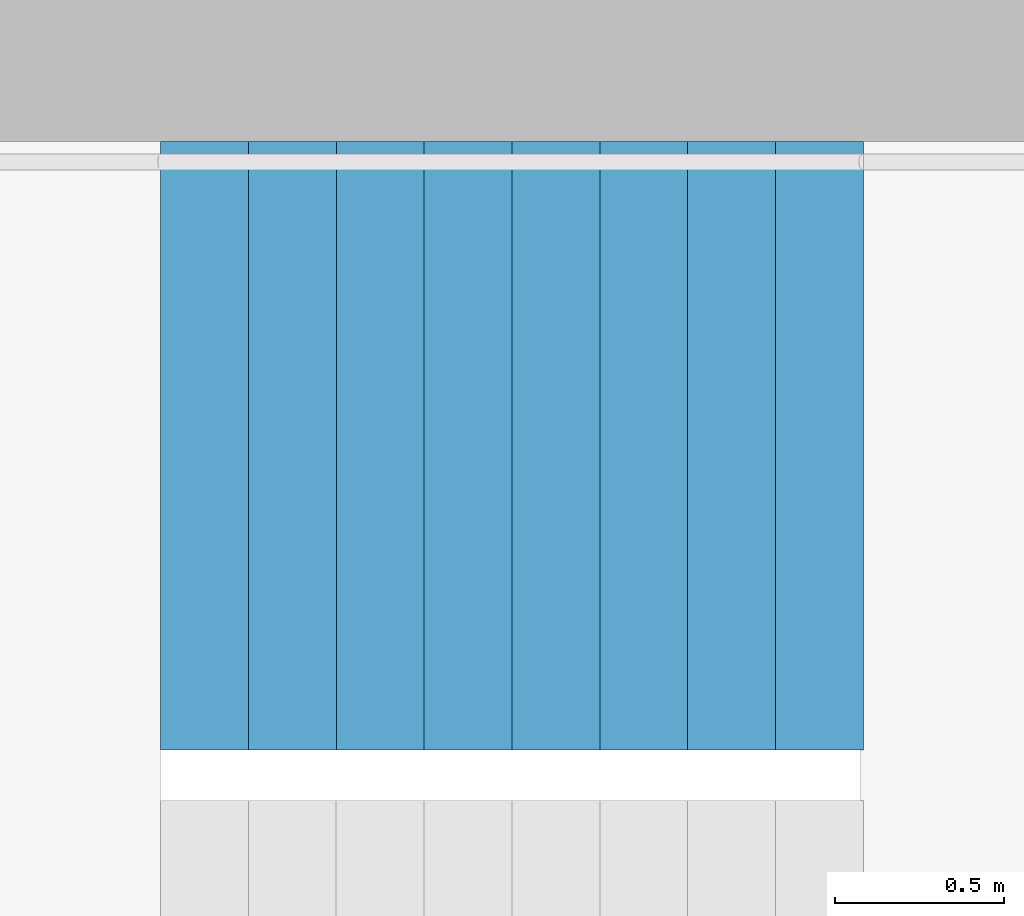
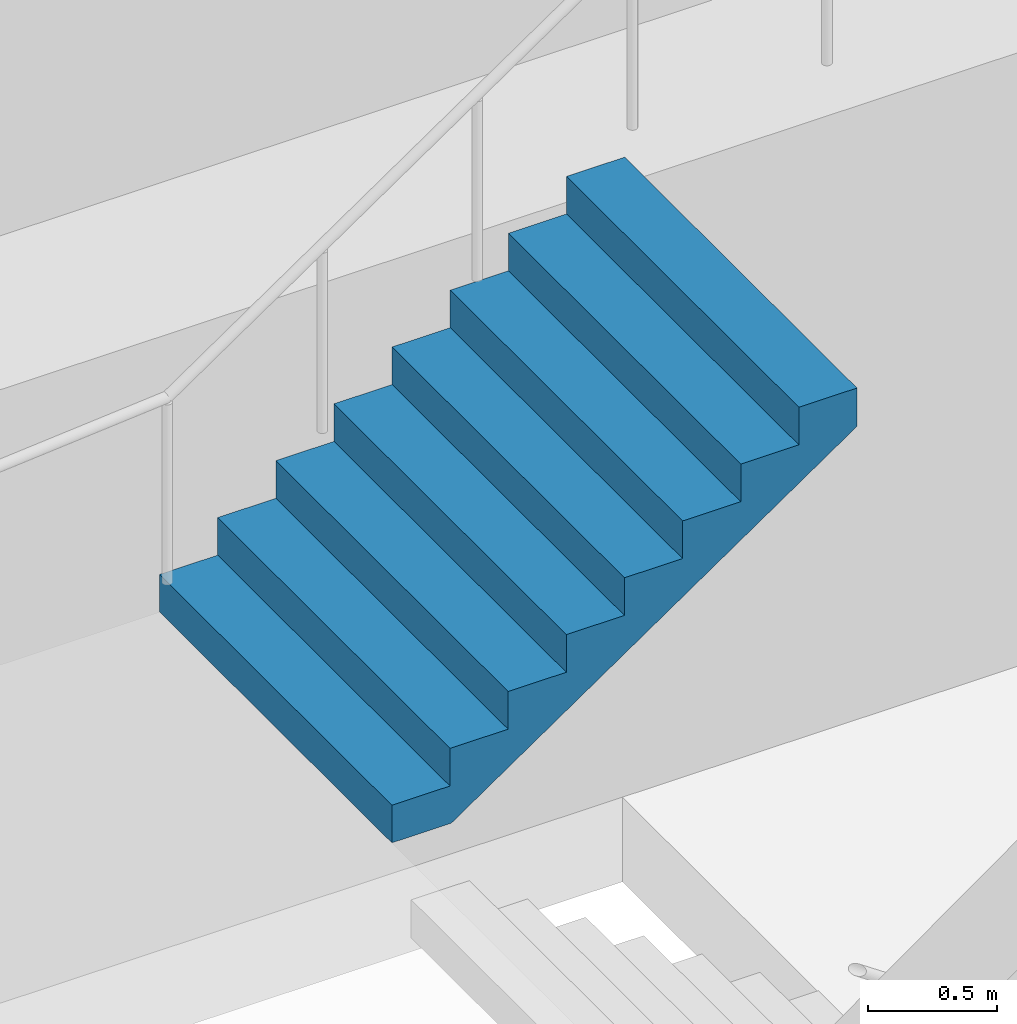
# One storey, part 28 of 29: 1 stair flight, 1 element without a shape of its own.
"""IFC4 building model written with IfcOpenShell, lengths in metres."""

from ifc_helpers import new_model, si_unit, direction, frame, origin, place, context, subcontext, project, spatial, triangles, material, type_object, element, aggregate, save


model = new_model("IFC4")

# Units and contexts
model_context = context("Model", 3, precision=1e-05, world=origin(), true_north=direction((0.0, 1.0)))
body_context = subcontext(model_context, "Body", "Model", "MODEL_VIEW")
ifc_project = project(units=[si_unit("LENGTHUNIT", "METRE"), si_unit("AREAUNIT", "SQUARE_METRE"), si_unit("VOLUMEUNIT", "CUBIC_METRE"), si_unit("PLANEANGLEUNIT", "RADIAN"), si_unit("MASSUNIT", "GRAM", prefix="KILO")], contexts=[model_context])

# Site, building, storey
site_placement = place(None, origin())
site = spatial("IfcSite", under=ifc_project, at=site_placement, CompositionType="ELEMENT")
building_placement = place(site_placement, origin())
building = spatial("IfcBuilding", under=site, at=building_placement, Name="Hakoniwa Tower and Hamabe Station Hall", CompositionType="ELEMENT")
storey_placement = place(building_placement, frame((0.0, 0.0, 61.39990234375)))
storey = spatial("IfcBuildingStorey", under=building, at=storey_placement, Name="L17", CompositionType="ELEMENT", Elevation=61.39990234375)

# Stair, stair flight
ifc_material_1 = material(Name="Concrete C40", Category="concrete")
stair_type = type_object("IfcStairType", Name="ESCAPE STAIR 1800", PredefinedType="HALF_TURN_STAIR", material=ifc_material_1)
stair_placement = place(storey_placement, origin())
stair = element("IfcStair", 1, at=stair_placement, inside=storey, type_object=stair_type, Name="Escape stair ST-3 L17", PredefinedType="HALF_TURN_STAIR")
ifc_material_2 = material(Name="Concrete C40", Category="concrete")
stair_flight_type = type_object("IfcStairFlightType", Name="STAIR FLIGHT 1800", PredefinedType="STRAIGHT", material=ifc_material_2)
stair_flight_placement = place(storey_placement, frame((22.320068359375, 6.60009765625, 1.60009765625), z_axis=(0.0, 0.0, 1.0), x_axis=(1.0, 0.0, 0.0)))
stair_flight = element("IfcStairFlight", 2, at=stair_flight_placement, type_object=stair_flight_type, Name="ST-3 flight 2", NumberOfRisers=9, NumberOfTreads=8, PredefinedType="STRAIGHT", RiserHeight=0.177777778, TreadLength=0.26, context=body_context, shape_type="Tessellation", body=[
    triangles([(0.0, 0.89990234375, 0.0), (0.260009765625, 0.89990234375, 0.0), (0.265625, 0.89990234375, 0.0), (0.52001953125, 0.89990234375, 0.174072265625), (0.780029296875, 0.89990234375, 0.351806640625), (1.0400390625, 0.89990234375, 0.529541015625), (1.300048828125, 0.89990234375, 0.707275390625), (1.56005859375, 0.89990234375, 0.885009765625), (1.820068359375, 0.89990234375, 1.062744140625), (2.080078125, 0.89990234375, 1.24072265625), (2.080078125, 0.89990234375, 1.422119140625), (1.820068359375, 0.89990234375, 1.422119140625), (1.820068359375, 0.89990234375, 1.244384765625), (1.56005859375, 0.89990234375, 1.244384765625), (1.56005859375, 0.89990234375, 1.066650390625), (1.300048828125, 0.89990234375, 1.066650390625), (1.300048828125, 0.89990234375, 0.888916015625), (1.0400390625, 0.89990234375, 0.888916015625), (1.0400390625, 0.89990234375, 0.711181640625), (0.780029296875, 0.89990234375, 0.711181640625), (0.780029296875, 0.89990234375, 0.533447265625), (0.52001953125, 0.89990234375, 0.533447265625), (0.52001953125, 0.89990234375, 0.35546875), (0.265625, 0.89990234375, 0.35546875), (0.260009765625, 0.89990234375, 0.35546875), (0.260009765625, 0.89990234375, 0.177734375), (0.0, 0.89990234375, 0.177734375), (0.0, 0.06005859375, 0.0), (0.260009765625, 0.06005859375, 0.0), (0.265625, 0.06005859375, 0.0), (0.52001953125, 0.06005859375, 0.174072265625), (0.780029296875, 0.06005859375, 0.351806640625), (1.0400390625, 0.06005859375, 0.529541015625), (1.300048828125, 0.06005859375, 0.707275390625), (1.56005859375, 0.06005859375, 0.885009765625), (1.820068359375, 0.06005859375, 1.062744140625), (2.080078125, 0.06005859375, 1.24072265625), (2.080078125, 0.06005859375, 1.422119140625), (1.820068359375, 0.06005859375, 1.422119140625), (1.820068359375, 0.06005859375, 1.244384765625), (1.56005859375, 0.06005859375, 1.244384765625), (1.56005859375, 0.06005859375, 1.066650390625), (1.300048828125, 0.06005859375, 1.066650390625), (1.300048828125, 0.06005859375, 0.888916015625), (1.0400390625, 0.06005859375, 0.888916015625), (1.0400390625, 0.06005859375, 0.711181640625), (0.780029296875, 0.06005859375, 0.711181640625), (0.780029296875, 0.06005859375, 0.533447265625), (0.52001953125, 0.06005859375, 0.533447265625), (0.52001953125, 0.06005859375, 0.35546875), (0.265625, 0.06005859375, 0.35546875), (0.260009765625, 0.06005859375, 0.35546875), (0.260009765625, 0.06005859375, 0.177734375), (0.0, 0.06005859375, 0.177734375), (0.0, 0.04296875, 0.0), (0.260009765625, 0.04296875, 0.0), (0.265625, 0.04296875, 0.0), (0.52001953125, 0.04296875, 0.174072265625), (0.780029296875, 0.04296875, 0.351806640625), (1.0400390625, 0.04296875, 0.529541015625), (1.300048828125, 0.04296875, 0.707275390625), (1.56005859375, 0.04296875, 0.885009765625), (1.820068359375, 0.04296875, 1.062744140625), (2.080078125, 0.04296875, 1.24072265625), (2.080078125, 0.04296875, 1.422119140625), (1.820068359375, 0.04296875, 1.422119140625), (1.820068359375, 0.04296875, 1.244384765625), (1.56005859375, 0.04296875, 1.244384765625), (1.56005859375, 0.04296875, 1.066650390625), (1.300048828125, 0.04296875, 1.066650390625), (1.300048828125, 0.04296875, 0.888916015625), (1.0400390625, 0.04296875, 0.888916015625), (1.0400390625, 0.04296875, 0.711181640625), (0.780029296875, 0.04296875, 0.711181640625), (0.780029296875, 0.04296875, 0.533447265625), (0.52001953125, 0.04296875, 0.533447265625), (0.52001953125, 0.04296875, 0.35546875), (0.265625, 0.04296875, 0.35546875), (0.260009765625, 0.04296875, 0.35546875), (0.260009765625, 0.04296875, 0.177734375), (0.0, 0.04296875, 0.177734375), (0.0, 0.025634765625, 0.0), (0.260009765625, 0.025634765625, 0.0), (0.265625, 0.025634765625, 0.0), (0.52001953125, 0.025634765625, 0.174072265625), (0.780029296875, 0.025634765625, 0.351806640625), (1.0400390625, 0.025634765625, 0.529541015625), (1.300048828125, 0.025634765625, 0.707275390625), (1.56005859375, 0.025634765625, 0.885009765625), (1.820068359375, 0.025634765625, 1.062744140625), (2.080078125, 0.025634765625, 1.24072265625), (2.080078125, 0.025634765625, 1.422119140625), (1.820068359375, 0.025634765625, 1.422119140625), (1.820068359375, 0.025634765625, 1.244384765625), (1.56005859375, 0.025634765625, 1.244384765625), (1.56005859375, 0.025634765625, 1.066650390625), (1.300048828125, 0.025634765625, 1.066650390625), (1.300048828125, 0.025634765625, 0.888916015625), (1.0400390625, 0.025634765625, 0.888916015625), (1.0400390625, 0.025634765625, 0.711181640625), (0.780029296875, 0.025634765625, 0.711181640625), (0.780029296875, 0.025634765625, 0.533447265625), (0.52001953125, 0.025634765625, 0.533447265625), (0.52001953125, 0.025634765625, 0.35546875), (0.265625, 0.025634765625, 0.35546875), (0.260009765625, 0.025634765625, 0.35546875), (0.260009765625, 0.025634765625, 0.177734375), (0.0, 0.025634765625, 0.177734375), (0.0, 0.008544921875, 0.0), (0.260009765625, 0.008544921875, 0.0), (0.265625, 0.008544921875, 0.0), (0.52001953125, 0.008544921875, 0.174072265625), (0.780029296875, 0.008544921875, 0.351806640625), (1.0400390625, 0.008544921875, 0.529541015625), (1.300048828125, 0.008544921875, 0.707275390625), (1.56005859375, 0.008544921875, 0.885009765625), (1.820068359375, 0.008544921875, 1.062744140625), (2.080078125, 0.008544921875, 1.24072265625), (2.080078125, 0.008544921875, 1.422119140625), (1.820068359375, 0.008544921875, 1.422119140625), (1.820068359375, 0.008544921875, 1.244384765625), (1.56005859375, 0.008544921875, 1.244384765625), (1.56005859375, 0.008544921875, 1.066650390625), (1.300048828125, 0.008544921875, 1.066650390625), (1.300048828125, 0.008544921875, 0.888916015625), (1.0400390625, 0.008544921875, 0.888916015625), (1.0400390625, 0.008544921875, 0.711181640625), (0.780029296875, 0.008544921875, 0.711181640625), (0.780029296875, 0.008544921875, 0.533447265625), (0.52001953125, 0.008544921875, 0.533447265625), (0.52001953125, 0.008544921875, 0.35546875), (0.265625, 0.008544921875, 0.35546875), (0.260009765625, 0.008544921875, 0.35546875), (0.260009765625, 0.008544921875, 0.177734375), (0.0, 0.008544921875, 0.177734375), (0.0, -0.008544921875, 0.0), (0.260009765625, -0.008544921875, 0.0), (0.265625, -0.008544921875, 0.0), (0.52001953125, -0.008544921875, 0.174072265625), (0.780029296875, -0.008544921875, 0.351806640625), (1.0400390625, -0.008544921875, 0.529541015625), (1.300048828125, -0.008544921875, 0.707275390625), (1.56005859375, -0.008544921875, 0.885009765625), (1.820068359375, -0.008544921875, 1.062744140625), (2.080078125, -0.008544921875, 1.24072265625), (2.080078125, -0.008544921875, 1.422119140625), (1.820068359375, -0.008544921875, 1.422119140625), (1.820068359375, -0.008544921875, 1.244384765625), (1.56005859375, -0.008544921875, 1.244384765625), (1.56005859375, -0.008544921875, 1.066650390625), (1.300048828125, -0.008544921875, 1.066650390625), (1.300048828125, -0.008544921875, 0.888916015625), (1.0400390625, -0.008544921875, 0.888916015625), (1.0400390625, -0.008544921875, 0.711181640625), (0.780029296875, -0.008544921875, 0.711181640625), (0.780029296875, -0.008544921875, 0.533447265625), (0.52001953125, -0.008544921875, 0.533447265625), (0.52001953125, -0.008544921875, 0.35546875), (0.265625, -0.008544921875, 0.35546875), (0.260009765625, -0.008544921875, 0.35546875), (0.260009765625, -0.008544921875, 0.177734375), (0.0, -0.008544921875, 0.177734375), (0.0, -0.025634765625, 0.0), (0.260009765625, -0.025634765625, 0.0), (0.265625, -0.025634765625, 0.0), (0.52001953125, -0.025634765625, 0.174072265625), (0.780029296875, -0.025634765625, 0.351806640625), (1.0400390625, -0.025634765625, 0.529541015625), (1.300048828125, -0.025634765625, 0.707275390625), (1.56005859375, -0.025634765625, 0.885009765625), (1.820068359375, -0.025634765625, 1.062744140625), (2.080078125, -0.025634765625, 1.24072265625), (2.080078125, -0.025634765625, 1.422119140625), (1.820068359375, -0.025634765625, 1.422119140625), (1.820068359375, -0.025634765625, 1.244384765625), (1.56005859375, -0.025634765625, 1.244384765625), (1.56005859375, -0.025634765625, 1.066650390625), (1.300048828125, -0.025634765625, 1.066650390625), (1.300048828125, -0.025634765625, 0.888916015625), (1.0400390625, -0.025634765625, 0.888916015625), (1.0400390625, -0.025634765625, 0.711181640625), (0.780029296875, -0.025634765625, 0.711181640625), (0.780029296875, -0.025634765625, 0.533447265625), (0.52001953125, -0.025634765625, 0.533447265625), (0.52001953125, -0.025634765625, 0.35546875), (0.265625, -0.025634765625, 0.35546875), (0.260009765625, -0.025634765625, 0.35546875), (0.260009765625, -0.025634765625, 0.177734375), (0.0, -0.025634765625, 0.177734375), (0.0, -0.04296875, 0.0), (0.260009765625, -0.04296875, 0.0), (0.265625, -0.04296875, 0.0), (0.52001953125, -0.04296875, 0.174072265625), (0.780029296875, -0.04296875, 0.351806640625), (1.0400390625, -0.04296875, 0.529541015625), (1.300048828125, -0.04296875, 0.707275390625), (1.56005859375, -0.04296875, 0.885009765625), (1.820068359375, -0.04296875, 1.062744140625), (2.080078125, -0.04296875, 1.24072265625), (2.080078125, -0.04296875, 1.422119140625), (1.820068359375, -0.04296875, 1.422119140625), (1.820068359375, -0.04296875, 1.244384765625), (1.56005859375, -0.04296875, 1.244384765625), (1.56005859375, -0.04296875, 1.066650390625), (1.300048828125, -0.04296875, 1.066650390625), (1.300048828125, -0.04296875, 0.888916015625), (1.0400390625, -0.04296875, 0.888916015625), (1.0400390625, -0.04296875, 0.711181640625), (0.780029296875, -0.04296875, 0.711181640625), (0.780029296875, -0.04296875, 0.533447265625), (0.52001953125, -0.04296875, 0.533447265625), (0.52001953125, -0.04296875, 0.35546875), (0.265625, -0.04296875, 0.35546875), (0.260009765625, -0.04296875, 0.35546875), (0.260009765625, -0.04296875, 0.177734375), (0.0, -0.04296875, 0.177734375), (0.0, -0.06005859375, 0.0), (0.260009765625, -0.06005859375, 0.0), (0.265625, -0.06005859375, 0.0), (0.52001953125, -0.06005859375, 0.174072265625), (0.780029296875, -0.06005859375, 0.351806640625), (1.0400390625, -0.06005859375, 0.529541015625), (1.300048828125, -0.06005859375, 0.707275390625), (1.56005859375, -0.06005859375, 0.885009765625), (1.820068359375, -0.06005859375, 1.062744140625), (2.080078125, -0.06005859375, 1.24072265625), (2.080078125, -0.06005859375, 1.422119140625), (1.820068359375, -0.06005859375, 1.422119140625), (1.820068359375, -0.06005859375, 1.244384765625), (1.56005859375, -0.06005859375, 1.244384765625), (1.56005859375, -0.06005859375, 1.066650390625), (1.300048828125, -0.06005859375, 1.066650390625), (1.300048828125, -0.06005859375, 0.888916015625), (1.0400390625, -0.06005859375, 0.888916015625), (1.0400390625, -0.06005859375, 0.711181640625), (0.780029296875, -0.06005859375, 0.711181640625), (0.780029296875, -0.06005859375, 0.533447265625), (0.52001953125, -0.06005859375, 0.533447265625), (0.52001953125, -0.06005859375, 0.35546875), (0.265625, -0.06005859375, 0.35546875), (0.260009765625, -0.06005859375, 0.35546875), (0.260009765625, -0.06005859375, 0.177734375), (0.0, -0.06005859375, 0.177734375), (0.0, -0.89990234375, 0.0), (0.260009765625, -0.89990234375, 0.0), (0.265625, -0.89990234375, 0.0), (0.52001953125, -0.89990234375, 0.174072265625), (0.780029296875, -0.89990234375, 0.351806640625), (1.0400390625, -0.89990234375, 0.529541015625), (1.300048828125, -0.89990234375, 0.707275390625), (1.56005859375, -0.89990234375, 0.885009765625), (1.820068359375, -0.89990234375, 1.062744140625), (2.080078125, -0.89990234375, 1.24072265625), (2.080078125, -0.89990234375, 1.422119140625), (1.820068359375, -0.89990234375, 1.422119140625), (1.820068359375, -0.89990234375, 1.244384765625), (1.56005859375, -0.89990234375, 1.244384765625), (1.56005859375, -0.89990234375, 1.066650390625), (1.300048828125, -0.89990234375, 1.066650390625), (1.300048828125, -0.89990234375, 0.888916015625), (1.0400390625, -0.89990234375, 0.888916015625), (1.0400390625, -0.89990234375, 0.711181640625), (0.780029296875, -0.89990234375, 0.711181640625), (0.780029296875, -0.89990234375, 0.533447265625), (0.52001953125, -0.89990234375, 0.533447265625), (0.52001953125, -0.89990234375, 0.35546875), (0.265625, -0.89990234375, 0.35546875), (0.260009765625, -0.89990234375, 0.35546875), (0.260009765625, -0.89990234375, 0.177734375), (0.0, -0.89990234375, 0.177734375)], [[2, 27, 26], [245, 269, 270], [2, 1, 27], [245, 270, 244], [3, 25, 24], [246, 267, 268], [3, 26, 25], [246, 268, 269], [3, 2, 26], [246, 269, 245], [4, 24, 23], [247, 266, 267], [4, 3, 24], [247, 267, 246], [5, 22, 21], [248, 264, 265], [5, 23, 22], [248, 265, 266], [5, 4, 23], [248, 266, 247], [6, 20, 19], [249, 262, 263], [6, 21, 20], [249, 263, 264], [6, 5, 21], [249, 264, 248], [7, 18, 17], [250, 260, 261], [7, 19, 18], [250, 261, 262], [7, 6, 19], [250, 262, 249], [8, 16, 15], [251, 258, 259], [8, 17, 16], [251, 259, 260], [8, 7, 17], [251, 260, 250], [9, 14, 13], [252, 256, 257], [9, 15, 14], [252, 257, 258], [9, 8, 15], [252, 258, 251], [10, 12, 11], [253, 254, 255], [10, 13, 12], [253, 255, 256], [10, 9, 13], [253, 256, 252], [1, 2, 29], [1, 29, 28], [28, 29, 56], [28, 56, 55], [55, 56, 83], [55, 83, 82], [82, 83, 110], [82, 110, 109], [109, 110, 137], [109, 137, 136], [136, 137, 164], [136, 164, 163], [163, 164, 191], [163, 191, 190], [190, 191, 218], [190, 218, 217], [217, 218, 245], [217, 245, 244], [2, 3, 30], [2, 30, 29], [29, 30, 57], [29, 57, 56], [56, 57, 84], [56, 84, 83], [83, 84, 111], [83, 111, 110], [110, 111, 138], [110, 138, 137], [137, 138, 165], [137, 165, 164], [164, 165, 192], [164, 192, 191], [191, 192, 219], [191, 219, 218], [218, 219, 246], [218, 246, 245], [3, 4, 31], [3, 31, 30], [30, 31, 58], [30, 58, 57], [57, 58, 85], [57, 85, 84], [84, 85, 112], [84, 112, 111], [111, 112, 139], [111, 139, 138], [138, 139, 166], [138, 166, 165], [165, 166, 193], [165, 193, 192], [192, 193, 220], [192, 220, 219], [219, 220, 247], [219, 247, 246], [4, 5, 32], [4, 32, 31], [31, 32, 59], [31, 59, 58], [58, 59, 86], [58, 86, 85], [85, 86, 113], [85, 113, 112], [112, 113, 140], [112, 140, 139], [139, 140, 167], [139, 167, 166], [166, 167, 194], [166, 194, 193], [193, 194, 221], [193, 221, 220], [220, 221, 248], [220, 248, 247], [5, 6, 33], [5, 33, 32], [32, 33, 60], [32, 60, 59], [59, 60, 87], [59, 87, 86], [86, 87, 114], [86, 114, 113], [113, 114, 141], [113, 141, 140], [140, 141, 168], [140, 168, 167], [167, 168, 195], [167, 195, 194], [194, 195, 222], [194, 222, 221], [221, 222, 249], [221, 249, 248], [6, 7, 34], [6, 34, 33], [33, 34, 61], [33, 61, 60], [60, 61, 88], [60, 88, 87], [87, 88, 115], [87, 115, 114], [114, 115, 142], [114, 142, 141], [141, 142, 169], [141, 169, 168], [168, 169, 196], [168, 196, 195], [195, 196, 223], [195, 223, 222], [222, 223, 250], [222, 250, 249], [7, 8, 35], [7, 35, 34], [34, 35, 62], [34, 62, 61], [61, 62, 89], [61, 89, 88], [88, 89, 116], [88, 116, 115], [115, 116, 143], [115, 143, 142], [142, 143, 170], [142, 170, 169], [169, 170, 197], [169, 197, 196], [196, 197, 224], [196, 224, 223], [223, 224, 251], [223, 251, 250], [8, 9, 36], [8, 36, 35], [35, 36, 63], [35, 63, 62], [62, 63, 90], [62, 90, 89], [89, 90, 117], [89, 117, 116], [116, 117, 144], [116, 144, 143], [143, 144, 171], [143, 171, 170], [170, 171, 198], [170, 198, 197], [197, 198, 225], [197, 225, 224], [224, 225, 252], [224, 252, 251], [9, 10, 37], [9, 37, 36], [36, 37, 64], [36, 64, 63], [63, 64, 91], [63, 91, 90], [90, 91, 118], [90, 118, 117], [117, 118, 145], [117, 145, 144], [144, 145, 172], [144, 172, 171], [171, 172, 199], [171, 199, 198], [198, 199, 226], [198, 226, 225], [225, 226, 253], [225, 253, 252], [10, 11, 38], [10, 38, 37], [37, 38, 65], [37, 65, 64], [64, 65, 92], [64, 92, 91], [91, 92, 119], [91, 119, 118], [118, 119, 146], [118, 146, 145], [145, 146, 173], [145, 173, 172], [172, 173, 200], [172, 200, 199], [199, 200, 227], [199, 227, 226], [226, 227, 254], [226, 254, 253], [11, 12, 39], [11, 39, 38], [38, 39, 66], [38, 66, 65], [65, 66, 93], [65, 93, 92], [92, 93, 120], [92, 120, 119], [119, 120, 147], [119, 147, 146], [146, 147, 174], [146, 174, 173], [173, 174, 201], [173, 201, 200], [200, 201, 228], [200, 228, 227], [227, 228, 255], [227, 255, 254], [12, 13, 40], [12, 40, 39], [39, 40, 67], [39, 67, 66], [66, 67, 94], [66, 94, 93], [93, 94, 121], [93, 121, 120], [120, 121, 148], [120, 148, 147], [147, 148, 175], [147, 175, 174], [174, 175, 202], [174, 202, 201], [201, 202, 229], [201, 229, 228], [228, 229, 256], [228, 256, 255], [13, 14, 41], [13, 41, 40], [40, 41, 68], [40, 68, 67], [67, 68, 95], [67, 95, 94], [94, 95, 122], [94, 122, 121], [121, 122, 149], [121, 149, 148], [148, 149, 176], [148, 176, 175], [175, 176, 203], [175, 203, 202], [202, 203, 230], [202, 230, 229], [229, 230, 257], [229, 257, 256], [14, 15, 42], [14, 42, 41], [41, 42, 69], [41, 69, 68], [68, 69, 96], [68, 96, 95], [95, 96, 123], [95, 123, 122], [122, 123, 150], [122, 150, 149], [149, 150, 177], [149, 177, 176], [176, 177, 204], [176, 204, 203], [203, 204, 231], [203, 231, 230], [230, 231, 258], [230, 258, 257], [15, 16, 43], [15, 43, 42], [42, 43, 70], [42, 70, 69], [69, 70, 97], [69, 97, 96], [96, 97, 124], [96, 124, 123], [123, 124, 151], [123, 151, 150], [150, 151, 178], [150, 178, 177], [177, 178, 205], [177, 205, 204], [204, 205, 232], [204, 232, 231], [231, 232, 259], [231, 259, 258], [16, 17, 44], [16, 44, 43], [43, 44, 71], [43, 71, 70], [70, 71, 98], [70, 98, 97], [97, 98, 125], [97, 125, 124], [124, 125, 152], [124, 152, 151], [151, 152, 179], [151, 179, 178], [178, 179, 206], [178, 206, 205], [205, 206, 233], [205, 233, 232], [232, 233, 260], [232, 260, 259], [17, 18, 45], [17, 45, 44], [44, 45, 72], [44, 72, 71], [71, 72, 99], [71, 99, 98], [98, 99, 126], [98, 126, 125], [125, 126, 153], [125, 153, 152], [152, 153, 180], [152, 180, 179], [179, 180, 207], [179, 207, 206], [206, 207, 234], [206, 234, 233], [233, 234, 261], [233, 261, 260], [18, 19, 46], [18, 46, 45], [45, 46, 73], [45, 73, 72], [72, 73, 100], [72, 100, 99], [99, 100, 127], [99, 127, 126], [126, 127, 154], [126, 154, 153], [153, 154, 181], [153, 181, 180], [180, 181, 208], [180, 208, 207], [207, 208, 235], [207, 235, 234], [234, 235, 262], [234, 262, 261], [19, 20, 47], [19, 47, 46], [46, 47, 74], [46, 74, 73], [73, 74, 101], [73, 101, 100], [100, 101, 128], [100, 128, 127], [127, 128, 155], [127, 155, 154], [154, 155, 182], [154, 182, 181], [181, 182, 209], [181, 209, 208], [208, 209, 236], [208, 236, 235], [235, 236, 263], [235, 263, 262], [20, 21, 48], [20, 48, 47], [47, 48, 75], [47, 75, 74], [74, 75, 102], [74, 102, 101], [101, 102, 129], [101, 129, 128], [128, 129, 156], [128, 156, 155], [155, 156, 183], [155, 183, 182], [182, 183, 210], [182, 210, 209], [209, 210, 237], [209, 237, 236], [236, 237, 264], [236, 264, 263], [21, 22, 49], [21, 49, 48], [48, 49, 76], [48, 76, 75], [75, 76, 103], [75, 103, 102], [102, 103, 130], [102, 130, 129], [129, 130, 157], [129, 157, 156], [156, 157, 184], [156, 184, 183], [183, 184, 211], [183, 211, 210], [210, 211, 238], [210, 238, 237], [237, 238, 265], [237, 265, 264], [22, 23, 50], [22, 50, 49], [49, 50, 77], [49, 77, 76], [76, 77, 104], [76, 104, 103], [103, 104, 131], [103, 131, 130], [130, 131, 158], [130, 158, 157], [157, 158, 185], [157, 185, 184], [184, 185, 212], [184, 212, 211], [211, 212, 239], [211, 239, 238], [238, 239, 266], [238, 266, 265], [23, 24, 51], [23, 51, 50], [50, 51, 78], [50, 78, 77], [77, 78, 105], [77, 105, 104], [104, 105, 132], [104, 132, 131], [131, 132, 159], [131, 159, 158], [158, 159, 186], [158, 186, 185], [185, 186, 213], [185, 213, 212], [212, 213, 240], [212, 240, 239], [239, 240, 267], [239, 267, 266], [24, 25, 52], [24, 52, 51], [51, 52, 79], [51, 79, 78], [78, 79, 106], [78, 106, 105], [105, 106, 133], [105, 133, 132], [132, 133, 160], [132, 160, 159], [159, 160, 187], [159, 187, 186], [186, 187, 214], [186, 214, 213], [213, 214, 241], [213, 241, 240], [240, 241, 268], [240, 268, 267], [25, 26, 53], [25, 53, 52], [52, 53, 80], [52, 80, 79], [79, 80, 107], [79, 107, 106], [106, 107, 134], [106, 134, 133], [133, 134, 161], [133, 161, 160], [160, 161, 188], [160, 188, 187], [187, 188, 215], [187, 215, 214], [214, 215, 242], [214, 242, 241], [241, 242, 269], [241, 269, 268], [26, 27, 54], [26, 54, 53], [53, 54, 81], [53, 81, 80], [80, 81, 108], [80, 108, 107], [107, 108, 135], [107, 135, 134], [134, 135, 162], [134, 162, 161], [161, 162, 189], [161, 189, 188], [188, 189, 216], [188, 216, 215], [215, 216, 243], [215, 243, 242], [242, 243, 270], [242, 270, 269], [27, 1, 28], [27, 28, 54], [54, 28, 55], [54, 55, 81], [81, 55, 82], [81, 82, 108], [108, 82, 109], [108, 109, 135], [135, 109, 136], [135, 136, 162], [162, 136, 163], [162, 163, 189], [189, 163, 190], [189, 190, 216], [216, 190, 217], [216, 217, 243], [243, 217, 244], [243, 244, 270]], closed=True),
])
aggregate(stair, [stair_flight])

save(model, "model.ifc")
